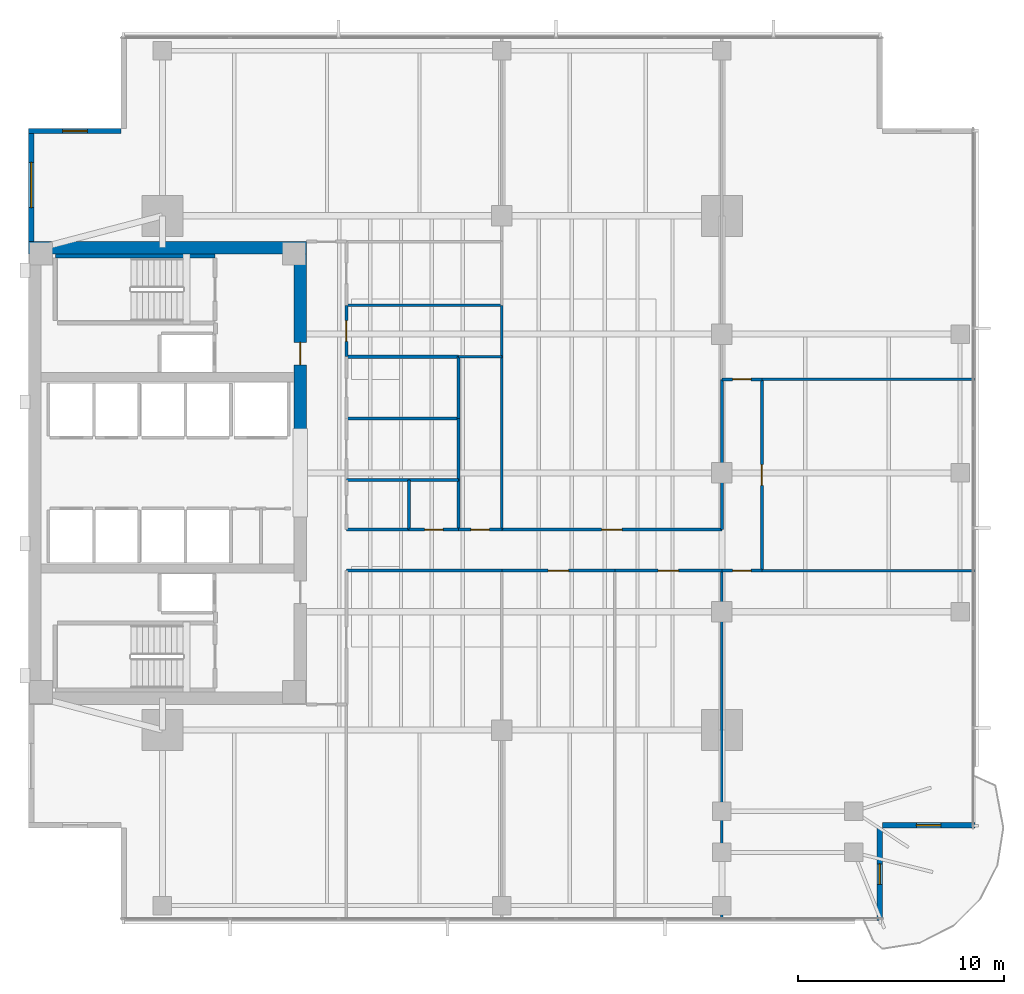
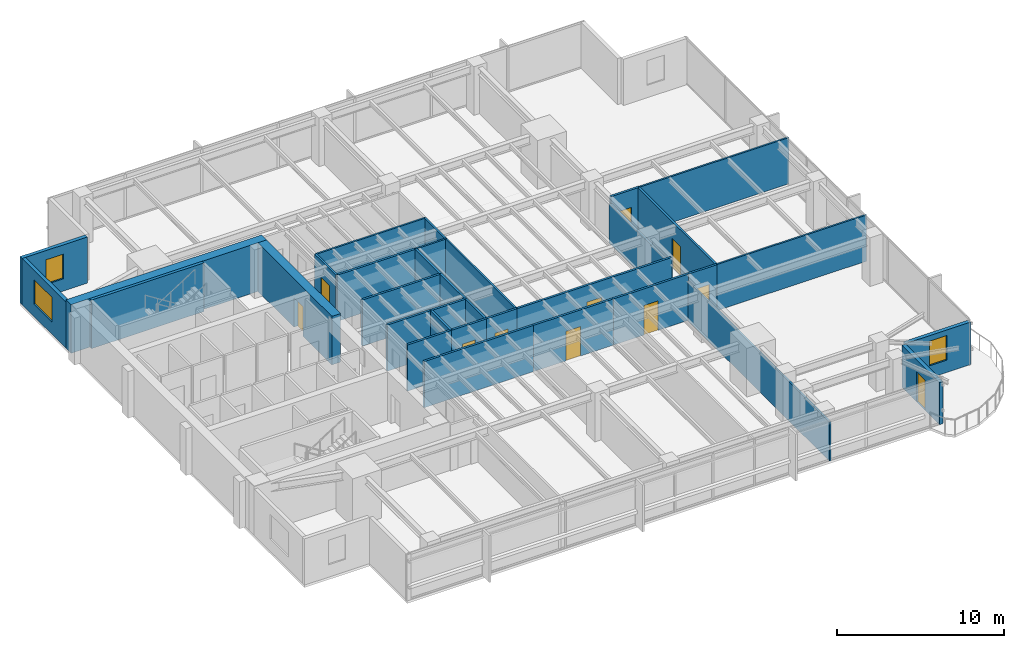
# One storey, part 9 of 15: 34 walls, 11 doors, 3 windows, 14 openings.
"""IFC4 building model written with IfcOpenShell, lengths in metres."""

from ifc_helpers import new_model, si_unit, direction, frame, frame_2d, origin, place, context, subcontext, project, spatial, rectangle, extrude, material, layer, layer_set, type_object, element, fill, save


model = new_model("IFC4")

# Units and contexts
model_context = context("Model", 3, precision=1e-05, world=origin(), true_north=direction((0.0, 1.0)))
body_context = subcontext(model_context, "Body", "Model", "MODEL_VIEW")
ifc_project = project(units=[si_unit("LENGTHUNIT", "METRE"), si_unit("AREAUNIT", "SQUARE_METRE"), si_unit("VOLUMEUNIT", "CUBIC_METRE"), si_unit("PLANEANGLEUNIT", "RADIAN"), si_unit("MASSUNIT", "GRAM", prefix="KILO")], contexts=[model_context])

# Site, building, storey
site_placement = place(None, origin())
site = spatial("IfcSite", under=ifc_project, at=site_placement, CompositionType="ELEMENT")
building_placement = place(site_placement, origin())
building = spatial("IfcBuilding", under=site, at=building_placement, Name="Kinhvarn Gate Tower", CompositionType="ELEMENT")
storey_placement = place(building_placement, frame((0.0, 0.0, 112.89990234375)))
storey = spatial("IfcBuildingStorey", under=building, at=storey_placement, Name="L29", CompositionType="ELEMENT", Elevation=112.89990234375)

# Wall
ifc_material_1 = material(Name="Concrete C60/75", Category="concrete")
ifc_layer_1 = layer(ifc_material_1, 0.60009765625)
ifc_layer_set_1 = layer_set([ifc_layer_1], Name="Concrete C60/75")
wall_type_1 = type_object("IfcWallType", Name="WL-CORE-600", PredefinedType="SHEAR", material=ifc_layer_set_1)
wall_1_placement = place(storey_placement, frame((4.5, 36.199951171875, 0.0), z_axis=(0.0, 0.0, 1.0), x_axis=(1.0, 0.0, 0.0)))
element("IfcWall", 1, at=wall_1_placement, inside=storey, type_object=wall_type_1, Name="Core North Shear Wall L29 600 mm", PredefinedType="SHEAR", context=body_context, shape_type="SweptSolid", body=[
    extrude(rectangle(XDim=13.5, YDim=0.60009765625, at=frame_2d((6.75, 0.0))), origin(), (0.0, 0.0, 1.0), 3.550048828125),
])

# Wall, opening, door
wall_2_placement = place(storey_placement, frame((17.699951171875, 27.050048828125, 0.0), z_axis=(0.0, 0.0, 1.0), x_axis=(0.0, 1.0, 0.0)))
wall_2 = element("IfcWall", 2, at=wall_2_placement, inside=storey, type_object=wall_type_1, Name="Core East-North Shear Pier L29 600 mm", PredefinedType="SHEAR", context=body_context, shape_type="SweptSolid", body=[
    extrude(rectangle(XDim=8.849853515625, YDim=0.60009765625, at=frame_2d((4.4248046875, 0.0))), origin(), (0.0, 0.0, 1.0), 3.550048828125),
])
opening_1_placement = place(wall_2_placement, frame((3.449951171875, 0.0, 0.0)))
opening_1 = element("IfcOpeningElement", 3, at=opening_1_placement, cuts=wall_2, Name="Opening FD-02", PredefinedType="OPENING", context=body_context, shape_type="SweptSolid", body=[
    extrude(rectangle(XDim=1.10009765625, YDim=2.14990234375, at=frame_2d((0.550048828125, 1.074951171875))), frame((0.0, 0.31005859375, 0.0), z_axis=(0.0, -1.0, 0.0), x_axis=(1.0, 0.0, 0.0)), (0.0, 0.0, 1.0), 0.6201171875),
])
ifc_material_2 = material(Name="Anodised aluminium AW-6063", Category="aluminium")
door_type_1 = type_object("IfcDoorType", Name="DR-FD-1100", OperationType="NOTDEFINED", PredefinedType="DOOR", material=ifc_material_2)
door_1_placement = place(opening_1_placement, origin())
door_1 = element("IfcDoor", 4, at=door_1_placement, inside=storey, type_object=door_type_1, Name="Firefighting Lobby Core Door (L29)", OperationType="SINGLE_SWING_LEFT", OverallHeight=2.14990234375, OverallWidth=1.10009765625, PredefinedType="DOOR", context=body_context, shape_type="SweptSolid", body=[
    extrude(rectangle(XDim=1.10009765625, YDim=2.14990234375, at=frame_2d((0.550048828125, 1.074951171875))), frame((0.0, 0.02490234375, 0.0), z_axis=(0.0, -1.0, 0.0), x_axis=(1.0, 0.0, 0.0)), (0.0, 0.0, 1.0), 0.050048828125),
])
fill(opening_1, door_1)

# Wall, opening, window
ifc_material_3 = material(Name="Fired architectural terracotta", Category="masonry")
ifc_layer_2 = layer(ifc_material_3, 0.25)
ifc_layer_set_2 = layer_set([ifc_layer_2], Name="Fired architectural terracotta")
wall_type_2 = type_object("IfcWallType", Name="WL-EXT-250", PredefinedType="SOLIDWALL", material=ifc_layer_set_2)
wall_3_placement = place(storey_placement, frame((4.625, 42.0, 0.0), z_axis=(0.0, 0.0, 1.0), x_axis=(0.0, -1.0, 0.0)))
wall_3 = element("IfcWall", 5, at=wall_3_placement, inside=storey, type_object=wall_type_2, Name="Exterior Solidwall Wall EW-250 (L29 West-North)", PredefinedType="SOLIDWALL", context=body_context, shape_type="SweptSolid", body=[
    extrude(rectangle(XDim=5.5, YDim=0.25, at=frame_2d((2.75, 0.0))), origin(), (0.0, 0.0, 1.0), 3.3701171875),
])
opening_2_placement = place(wall_3_placement, frame((1.64990234375, 0.0, 0.89990234375)))
opening_2 = element("IfcOpeningElement", 6, at=opening_2_placement, cuts=wall_3, Name="Opening WN-01", PredefinedType="OPENING", context=body_context, shape_type="SweptSolid", body=[
    extrude(rectangle(XDim=2.199951171875, YDim=1.800048828125, at=frame_2d((1.10009765625, 0.89990234375))), frame((0.0, 0.135009765625, 0.0), z_axis=(0.0, -1.0, 0.0), x_axis=(1.0, 0.0, 0.0)), (0.0, 0.0, 1.0), 0.27001953125),
])
ifc_material_4 = material(Name="Clear low-e double glazing", Category="glass")
window_type_1 = type_object("IfcWindowType", Name="WIN-RIB-2200", PartitioningType="SINGLE_PANEL", PredefinedType="WINDOW", material=ifc_material_4)
window_1_placement = place(opening_2_placement, origin())
window_1 = element("IfcWindow", 7, at=window_1_placement, inside=storey, type_object=window_type_1, Name="West Flank Double-Glazed Ribbon Window 2200x1800 mm (L29)", OverallHeight=1.800048828125, OverallWidth=2.199951171875, PartitioningType="SINGLE_PANEL", PredefinedType="WINDOW", context=body_context, shape_type="SweptSolid", body=[
    extrude(rectangle(XDim=2.199951171875, YDim=1.800048828125, at=frame_2d((1.10009765625, 0.89990234375))), frame((0.0, 0.030029296875, 0.0), z_axis=(0.0, -1.0, 0.0), x_axis=(1.0, 0.0, 0.0)), (0.0, 0.0, 1.0), 0.06005859375),
])
fill(opening_2, window_1)

# Wall, opening, door
wall_4_placement = place(storey_placement, frame((45.875, 3.5, 0.0), z_axis=(0.0, 0.0, 1.0), x_axis=(0.0, 1.0, 0.0)))
wall_4 = element("IfcWall", 8, at=wall_4_placement, inside=storey, type_object=wall_type_2, Name="Exterior Solidwall Wall EW-250 (L29 SE-Notch-Door)", PredefinedType="SOLIDWALL", context=body_context, shape_type="SweptSolid", body=[
    extrude(rectangle(XDim=4.5, YDim=0.25, at=frame_2d((2.25, 0.0))), origin(), (0.0, 0.0, 1.0), 3.070068359375),
])
opening_3_placement = place(wall_4_placement, frame((1.75, 0.0, 0.0)))
opening_3 = element("IfcOpeningElement", 9, at=opening_3_placement, cuts=wall_4, Name="Opening BD-01", PredefinedType="OPENING", context=body_context, shape_type="SweptSolid", body=[
    extrude(rectangle(XDim=1.0, YDim=2.199951171875, at=frame_2d((0.5, 1.10009765625))), frame((0.0, 0.135009765625, 0.0), z_axis=(0.0, -1.0, 0.0), x_axis=(1.0, 0.0, 0.0)), (0.0, 0.0, 1.0), 0.27001953125),
])
door_type_2 = type_object("IfcDoorType", Name="DR-BAL-1000", OperationType="NOTDEFINED", PredefinedType="DOOR", material=ifc_material_4)
door_2_placement = place(opening_3_placement, frame((1.0, 0.0, 0.0), z_axis=(0.0, 0.0, 1.0), x_axis=(-1.0, 0.0, 0.0)))
door_2 = element("IfcDoor", 10, at=door_2_placement, inside=storey, type_object=door_type_2, Name="S-Carve Balcony Door BD-01 (L29)", OperationType="SINGLE_SWING_LEFT", OverallHeight=2.199951171875, OverallWidth=1.0, PredefinedType="DOOR", context=body_context, shape_type="SweptSolid", body=[
    extrude(rectangle(XDim=1.0, YDim=2.199951171875, at=frame_2d((0.5, 1.10009765625))), frame((0.0, 0.02490234375, 0.0), z_axis=(0.0, -1.0, 0.0), x_axis=(1.0, 0.0, 0.0)), (0.0, 0.0, 1.0), 0.050048828125),
])
fill(opening_3, door_2)

# Wall, opening, window
wall_5_placement = place(storey_placement, frame((46.0, 8.125, 0.0), z_axis=(0.0, 0.0, 1.0), x_axis=(1.0, 0.0, 0.0)))
wall_5 = element("IfcWall", 11, at=wall_5_placement, inside=storey, type_object=wall_type_2, Name="Exterior Solidwall Wall EW-250 (L29 SE-Notch-Win)", PredefinedType="SOLIDWALL", context=body_context, shape_type="SweptSolid", body=[
    extrude(rectangle(XDim=4.5, YDim=0.25, at=frame_2d((2.25, 0.0))), origin(), (0.0, 0.0, 1.0), 3.10009765625),
])
opening_4_placement = place(wall_5_placement, frame((1.64990234375, 0.0, 0.89990234375)))
opening_4 = element("IfcOpeningElement", 12, at=opening_4_placement, cuts=wall_5, Name="Opening WN-02", PredefinedType="OPENING", context=body_context, shape_type="SweptSolid", body=[
    extrude(rectangle(XDim=1.199951171875, YDim=1.800048828125, at=frame_2d((0.60009765625, 0.89990234375))), frame((0.0, 0.135009765625, 0.0), z_axis=(0.0, -1.0, 0.0), x_axis=(1.0, 0.0, 0.0)), (0.0, 0.0, 1.0), 0.27001953125),
])
window_type_2 = type_object("IfcWindowType", Name="WIN-NTC-1200", PartitioningType="SINGLE_PANEL", PredefinedType="WINDOW", material=ifc_material_4)
window_2_placement = place(opening_4_placement, origin())
window_2 = element("IfcWindow", 13, at=window_2_placement, inside=storey, type_object=window_type_2, Name="Recessed Corner Notch Punched Window 1200x1800 mm (L29)", OverallHeight=1.800048828125, OverallWidth=1.199951171875, PartitioningType="SINGLE_PANEL", PredefinedType="WINDOW", context=body_context, shape_type="SweptSolid", body=[
    extrude(rectangle(XDim=1.199951171875, YDim=1.800048828125, at=frame_2d((0.60009765625, 0.89990234375))), frame((0.0, 0.030029296875, 0.0), z_axis=(0.0, -1.0, 0.0), x_axis=(1.0, 0.0, 0.0)), (0.0, 0.0, 1.0), 0.06005859375),
])
fill(opening_4, window_2)

wall_6_placement = place(storey_placement, frame((9.0, 41.875, 0.0), z_axis=(0.0, 0.0, 1.0), x_axis=(-1.0, 0.0, 0.0)))
wall_6 = element("IfcWall", 14, at=wall_6_placement, inside=storey, type_object=wall_type_2, Name="Exterior Solidwall Wall EW-250 (L29 NW-Notch-2)", PredefinedType="SOLIDWALL", context=body_context, shape_type="SweptSolid", body=[
    extrude(rectangle(XDim=4.5, YDim=0.25, at=frame_2d((2.25, 0.0))), origin(), (0.0, 0.0, 1.0), 3.3701171875),
])
opening_5_placement = place(wall_6_placement, frame((1.64990234375, 0.0, 0.89990234375)))
opening_5 = element("IfcOpeningElement", 15, at=opening_5_placement, cuts=wall_6, Name="Opening WN-02", PredefinedType="OPENING", context=body_context, shape_type="SweptSolid", body=[
    extrude(rectangle(XDim=1.199951171875, YDim=1.800048828125, at=frame_2d((0.60009765625, 0.89990234375))), frame((0.0, 0.135009765625, 0.0), z_axis=(0.0, -1.0, 0.0), x_axis=(1.0, 0.0, 0.0)), (0.0, 0.0, 1.0), 0.27001953125),
])
window_3_placement = place(opening_5_placement, origin())
window_3 = element("IfcWindow", 16, at=window_3_placement, inside=storey, type_object=window_type_2, Name="Recessed Corner Notch Punched Window 1200x1800 mm (L29)", OverallHeight=1.800048828125, OverallWidth=1.199951171875, PartitioningType="SINGLE_PANEL", PredefinedType="WINDOW", context=body_context, shape_type="SweptSolid", body=[
    extrude(rectangle(XDim=1.199951171875, YDim=1.800048828125, at=frame_2d((0.60009765625, 0.89990234375))), frame((0.0, 0.030029296875, 0.0), z_axis=(0.0, -1.0, 0.0), x_axis=(1.0, 0.0, 0.0)), (0.0, 0.0, 1.0), 0.06005859375),
])
fill(opening_5, window_3)

# Walls
ifc_material_5 = material(Name="Gypsum acoustic partition board")
ifc_layer_3 = layer(ifc_material_5, 0.14990234375)
ifc_layer_set_3 = layer_set([ifc_layer_3], Name="Gypsum acoustic partition board")
wall_type_3 = type_object("IfcWallType", Name="WL-PLM-150", PredefinedType="PLUMBINGWALL", material=ifc_layer_set_3)
wall_7_placement = place(storey_placement, frame((23.0, 22.5, 0.0), z_axis=(0.0, 0.0, 1.0), x_axis=(0.0, 1.0, 0.0)))
element("IfcWall", 17, at=wall_7_placement, inside=storey, type_object=wall_type_3, Name="Interior Partition PLW-150 (L29)", PredefinedType="PLUMBINGWALL", context=body_context, shape_type="SweptSolid", body=[
    extrude(rectangle(XDim=2.39990234375, YDim=0.14990234375, at=frame_2d((1.199951171875, 0.0))), origin(), (0.0, 0.0, 1.0), 3.3701171875),
])
wall_8_placement = place(storey_placement, frame((19.949951171875, 24.89990234375, 0.0), z_axis=(0.0, 0.0, 1.0), x_axis=(1.0, 0.0, 0.0)))
element("IfcWall", 18, at=wall_8_placement, inside=storey, type_object=wall_type_3, Name="Interior Partition PLW-150 (L29)", PredefinedType="PLUMBINGWALL", context=body_context, shape_type="SweptSolid", body=[
    extrude(rectangle(XDim=3.050048828125, YDim=0.14990234375, at=frame_2d((1.52490234375, 0.0))), origin(), (0.0, 0.0, 1.0), 3.3701171875),
])
for number, where, z_axis, x_axis, name in (
    (19, (23.0, 24.89990234375, 0.0), (0.0, 0.0, 1.0), (1.0, 0.0, 0.0), "Interior Partition PLW-150 (L29)"),
    (20, (25.39990234375, 22.5, 0.0), (0.0, 0.0, 1.0), (0.0, 1.0, 0.0), "Interior Partition PLW-150 (L29)"),
):
    element("IfcWall", number, at=place(storey_placement, frame(where, z_axis=z_axis, x_axis=x_axis)), inside=storey, type_object=wall_type_3, Name=name, PredefinedType="PLUMBINGWALL", context=body_context, shape_type="SweptSolid", body=[
        extrude(rectangle(XDim=2.39990234375, YDim=0.14990234375, at=frame_2d((1.199951171875, 0.0))), origin(), (0.0, 0.0, 1.0), 3.3701171875),
    ])
wall_9_placement = place(storey_placement, frame((19.949951171875, 27.89990234375, 0.0), z_axis=(0.0, 0.0, 1.0), x_axis=(1.0, 0.0, 0.0)))
element("IfcWall", 21, at=wall_9_placement, inside=storey, type_object=wall_type_3, Name="Interior Partition PLW-150 (L29)", PredefinedType="PLUMBINGWALL", context=body_context, shape_type="SweptSolid", body=[
    extrude(rectangle(XDim=5.449951171875, YDim=0.14990234375, at=frame_2d((2.72509765625, 0.0))), origin(), (0.0, 0.0, 1.0), 3.3701171875),
])
for number, where, z_axis, x_axis, name in (
    (22, (25.39990234375, 24.89990234375, 0.0), (0.0, 0.0, 1.0), (0.0, 1.0, 0.0), "Interior Partition PLW-150 (L29)"),
    (23, (25.39990234375, 27.89990234375, 0.0), (0.0, 0.0, 1.0), (0.0, 1.0, 0.0), "Interior Partition PLW-150 (L29)"),
):
    element("IfcWall", number, at=place(storey_placement, frame(where, z_axis=z_axis, x_axis=x_axis)), inside=storey, type_object=wall_type_3, Name=name, PredefinedType="PLUMBINGWALL", context=body_context, shape_type="SweptSolid", body=[
        extrude(rectangle(XDim=3.0, YDim=0.14990234375, at=frame_2d((1.5, 0.0))), origin(), (0.0, 0.0, 1.0), 3.3701171875),
    ])
wall_10_placement = place(storey_placement, frame((19.949951171875, 30.89990234375, 0.0), z_axis=(0.0, 0.0, 1.0), x_axis=(1.0, 0.0, 0.0)))
element("IfcWall", 24, at=wall_10_placement, inside=storey, type_object=wall_type_3, Name="Interior Partition PLW-150 (L29)", PredefinedType="PLUMBINGWALL", context=body_context, shape_type="SweptSolid", body=[
    extrude(rectangle(XDim=5.449951171875, YDim=0.14990234375, at=frame_2d((2.72509765625, 0.0))), origin(), (0.0, 0.0, 1.0), 3.3701171875),
])
ifc_layer_4 = layer(ifc_material_5, 0.14990234375)
ifc_layer_set_4 = layer_set([ifc_layer_4], Name="Gypsum acoustic partition board")
wall_type_4 = type_object("IfcWallType", Name="WL-PLM-150F", PredefinedType="PLUMBINGWALL", material=ifc_layer_set_4)
wall_11_placement = place(storey_placement, frame((19.949951171875, 22.5, 0.0), z_axis=(0.0, 0.0, 1.0), x_axis=(1.0, 0.0, 0.0)))
element("IfcWall", 25, at=wall_11_placement, inside=storey, type_object=wall_type_4, Name="Interior Partition PLW-150F (L29)", PredefinedType="PLUMBINGWALL", context=body_context, shape_type="SweptSolid", body=[
    extrude(rectangle(XDim=3.050048828125, YDim=0.14990234375, at=frame_2d((1.52490234375, 0.0))), origin(), (0.0, 0.0, 1.0), 3.3701171875),
])

# Wall, opening, door
wall_12_placement = place(storey_placement, frame((23.0, 22.5, 0.0), z_axis=(0.0, 0.0, 1.0), x_axis=(1.0, 0.0, 0.0)))
wall_12 = element("IfcWall", 26, at=wall_12_placement, inside=storey, type_object=wall_type_4, Name="Interior Partition PLW-150F (L29)", PredefinedType="PLUMBINGWALL", context=body_context, shape_type="SweptSolid", body=[
    extrude(rectangle(XDim=2.39990234375, YDim=0.14990234375, at=frame_2d((1.199951171875, 0.0))), origin(), (0.0, 0.0, 1.0), 3.3701171875),
])
opening_6_placement = place(wall_12_placement, frame((0.75, 0.0, 0.0)))
opening_6 = element("IfcOpeningElement", 27, at=opening_6_placement, cuts=wall_12, Name="Opening FD-04", PredefinedType="OPENING", context=body_context, shape_type="SweptSolid", body=[
    extrude(rectangle(XDim=0.89990234375, YDim=2.10009765625, at=frame_2d((0.449951171875, 1.050048828125))), frame((0.0, 0.0849609375, 0.0), z_axis=(0.0, -1.0, 0.0), x_axis=(1.0, 0.0, 0.0)), (0.0, 0.0, 1.0), 0.169921875),
])
door_type_3 = type_object("IfcDoorType", Name="DR-FD-900", OperationType="NOTDEFINED", PredefinedType="DOOR", material=ifc_material_2)
door_3_placement = place(opening_6_placement, origin())
door_3 = element("IfcDoor", 28, at=door_3_placement, inside=storey, type_object=door_type_3, Name="Rated Riser & Service Closet Fire Door 900x2100 mm (L29)", OperationType="SINGLE_SWING_RIGHT", OverallHeight=2.10009765625, OverallWidth=0.89990234375, PredefinedType="DOOR", context=body_context, shape_type="SweptSolid", body=[
    extrude(rectangle(XDim=0.89990234375, YDim=2.10009765625, at=frame_2d((0.449951171875, 1.050048828125))), frame((0.0, 0.02490234375, 0.0), z_axis=(0.0, -1.0, 0.0), x_axis=(1.0, 0.0, 0.0)), (0.0, 0.0, 1.0), 0.050048828125),
])
fill(opening_6, door_3)

# Walls
ifc_layer_5 = layer(ifc_material_5, 0.1201171875)
ifc_layer_set_5 = layer_set([ifc_layer_5], Name="Gypsum acoustic partition board")
wall_type_5 = type_object("IfcWallType", Name="WL-PRT-120", PredefinedType="PARTITIONING", material=ifc_layer_set_5)
wall_13_placement = place(storey_placement, frame((25.39990234375, 30.89990234375, 0.0), z_axis=(0.0, 0.0, 1.0), x_axis=(1.0, 0.0, 0.0)))
element("IfcWall", 29, at=wall_13_placement, inside=storey, type_object=wall_type_5, Name="Interior Partition PW-120 (L29)", PredefinedType="PARTITIONING", context=body_context, shape_type="SweptSolid", body=[
    extrude(rectangle(XDim=2.10009765625, YDim=0.1201171875, at=frame_2d((1.050048828125, 0.0))), origin(), (0.0, 0.0, 1.0), 3.3701171875),
])
wall_14_placement = place(storey_placement, frame((27.5, 22.5, 0.0), z_axis=(0.0, 0.0, 1.0), x_axis=(0.0, 1.0, 0.0)))
element("IfcWall", 30, at=wall_14_placement, inside=storey, type_object=wall_type_5, Name="Interior Partition PW-120 (L29)", PredefinedType="PARTITIONING", context=body_context, shape_type="SweptSolid", body=[
    extrude(rectangle(XDim=8.39990234375, YDim=0.1201171875, at=frame_2d((4.199951171875, 0.0))), origin(), (0.0, 0.0, 1.0), 3.3701171875),
])
wall_15_placement = place(storey_placement, frame((19.949951171875, 33.39990234375, 0.0), z_axis=(0.0, 0.0, 1.0), x_axis=(1.0, 0.0, 0.0)))
element("IfcWall", 31, at=wall_15_placement, inside=storey, type_object=wall_type_5, Name="Interior Partition PW-120 (L29)", PredefinedType="PARTITIONING", context=body_context, shape_type="SweptSolid", body=[
    extrude(rectangle(XDim=7.550048828125, YDim=0.1201171875, at=frame_2d((3.77490234375, 0.0))), origin(), (0.0, 0.0, 1.0), 3.3701171875),
])
wall_16_placement = place(storey_placement, frame((27.5, 30.89990234375, 0.0), z_axis=(0.0, 0.0, 1.0), x_axis=(0.0, 1.0, 0.0)))
element("IfcWall", 32, at=wall_16_placement, inside=storey, type_object=wall_type_5, Name="Interior Partition PW-120 (L29)", PredefinedType="PARTITIONING", context=body_context, shape_type="SweptSolid", body=[
    extrude(rectangle(XDim=2.5, YDim=0.1201171875, at=frame_2d((1.25, 0.0))), origin(), (0.0, 0.0, 1.0), 3.3701171875),
])
wall_17_placement = place(storey_placement, frame((38.199951171875, 3.510009765625, 0.0), z_axis=(0.0, 0.0, 1.0), x_axis=(0.0, 1.0, 0.0)))
element("IfcWall", 33, at=wall_17_placement, inside=storey, type_object=wall_type_5, Name="Interior Partition PW-120 (L29)", PredefinedType="PARTITIONING", context=body_context, shape_type="SweptSolid", body=[
    extrude(rectangle(XDim=16.989990234375, YDim=0.1201171875, at=frame_2d((8.4951171875, 0.0))), origin(), (0.0, 0.0, 1.0), 2.8701171875),
])
for number, where, z_axis, x_axis, name in (
    (34, (40.14990234375, 20.5, 0.0), (0.0, 0.0, 1.0), (1.0, 0.0, 0.0), "Interior Partition PW-120 (L29)"),
    (35, (40.14990234375, 29.800048828125, 0.0), (0.0, 0.0, 1.0), (1.0, 0.0, 0.0), "Interior Partition PW-120 (L29)"),
):
    element("IfcWall", number, at=place(storey_placement, frame(where, z_axis=z_axis, x_axis=x_axis)), inside=storey, type_object=wall_type_5, Name=name, PredefinedType="PARTITIONING", context=body_context, shape_type="SweptSolid", body=[
        extrude(rectangle(XDim=10.340087890625, YDim=0.1201171875, at=frame_2d((5.169921875, 0.0))), origin(), (0.0, 0.0, 1.0), 3.3701171875),
    ])

# Wall, opening, door
ifc_layer_6 = layer(ifc_material_5, 0.14990234375)
ifc_layer_set_6 = layer_set([ifc_layer_6], Name="Gypsum acoustic partition board")
wall_type_6 = type_object("IfcWallType", Name="WL-PRT-150F", PredefinedType="PARTITIONING", material=ifc_layer_set_6)
wall_18_placement = place(storey_placement, frame((19.949951171875, 30.89990234375, 0.0), z_axis=(0.0, 0.0, 1.0), x_axis=(0.0, 1.0, 0.0)))
wall_18 = element("IfcWall", 36, at=wall_18_placement, inside=storey, type_object=wall_type_6, Name="Interior Partition PW-150F (L29)", PredefinedType="PARTITIONING", context=body_context, shape_type="SweptSolid", body=[
    extrude(rectangle(XDim=2.5, YDim=0.14990234375, at=frame_2d((1.25, 0.0))), origin(), (0.0, 0.0, 1.0), 3.3701171875),
])
opening_7_placement = place(wall_18_placement, frame((0.75, 0.0, 0.0)))
opening_7 = element("IfcOpeningElement", 37, at=opening_7_placement, cuts=wall_18, Name="Opening ID-02", PredefinedType="OPENING", context=body_context, shape_type="SweptSolid", body=[
    extrude(rectangle(XDim=1.0, YDim=2.14990234375, at=frame_2d((0.5, 1.074951171875))), frame((0.0, 0.0849609375, 0.0), z_axis=(0.0, -1.0, 0.0), x_axis=(1.0, 0.0, 0.0)), (0.0, 0.0, 1.0), 0.169921875),
])
door_type_4 = type_object("IfcDoorType", Name="DR-INT-1000", OperationType="NOTDEFINED", PredefinedType="DOOR", material=ifc_material_2)
door_4_placement = place(opening_7_placement, origin())
door_4 = element("IfcDoor", 38, at=door_4_placement, inside=storey, type_object=door_type_4, Name="Standard Office & Meeting Room Door 1000x2150 mm (L29)", OperationType="SINGLE_SWING_LEFT", OverallHeight=2.14990234375, OverallWidth=1.0, PredefinedType="DOOR", context=body_context, shape_type="SweptSolid", body=[
    extrude(rectangle(XDim=1.0, YDim=2.14990234375, at=frame_2d((0.5, 1.074951171875))), frame((0.0, 0.02490234375, 0.0), z_axis=(0.0, -1.0, 0.0), x_axis=(1.0, 0.0, 0.0)), (0.0, 0.0, 1.0), 0.050048828125),
])
fill(opening_7, door_4)

wall_19_placement = place(storey_placement, frame((25.39990234375, 22.5, 0.0), z_axis=(0.0, 0.0, 1.0), x_axis=(1.0, 0.0, 0.0)))
wall_19 = element("IfcWall", 39, at=wall_19_placement, inside=storey, type_object=wall_type_6, Name="Interior Partition PW-150F (L29)", PredefinedType="PARTITIONING", context=body_context, shape_type="SweptSolid", body=[
    extrude(rectangle(XDim=2.10009765625, YDim=0.14990234375, at=frame_2d((1.050048828125, 0.0))), origin(), (0.0, 0.0, 1.0), 3.3701171875),
])
opening_8_placement = place(wall_19_placement, frame((0.60009765625, 0.0, 0.0)))
opening_8 = element("IfcOpeningElement", 40, at=opening_8_placement, cuts=wall_19, Name="Opening ID-03", PredefinedType="OPENING", context=body_context, shape_type="SweptSolid", body=[
    extrude(rectangle(XDim=0.89990234375, YDim=2.10009765625, at=frame_2d((0.449951171875, 1.050048828125))), frame((0.0, 0.0849609375, 0.0), z_axis=(0.0, -1.0, 0.0), x_axis=(1.0, 0.0, 0.0)), (0.0, 0.0, 1.0), 0.169921875),
])
door_type_5 = type_object("IfcDoorType", Name="DR-INT-900", OperationType="NOTDEFINED", PredefinedType="DOOR", material=ifc_material_2)
door_5_placement = place(opening_8_placement, origin())
door_5 = element("IfcDoor", 41, at=door_5_placement, inside=storey, type_object=door_type_5, Name="Cellular Office & Restroom Door 900x2100 mm (L29)", OperationType="SINGLE_SWING_LEFT", OverallHeight=2.10009765625, OverallWidth=0.89990234375, PredefinedType="DOOR", context=body_context, shape_type="SweptSolid", body=[
    extrude(rectangle(XDim=0.89990234375, YDim=2.10009765625, at=frame_2d((0.449951171875, 1.050048828125))), frame((0.0, 0.02490234375, 0.0), z_axis=(0.0, -1.0, 0.0), x_axis=(1.0, 0.0, 0.0)), (0.0, 0.0, 1.0), 0.050048828125),
])
fill(opening_8, door_5)

# Wall
wall_20_placement = place(storey_placement, frame((19.949951171875, 20.5, 0.0), z_axis=(0.0, 0.0, 1.0), x_axis=(1.0, 0.0, 0.0)))
element("IfcWall", 42, at=wall_20_placement, inside=storey, type_object=wall_type_6, Name="Interior Partition PW-150F (L29)", PredefinedType="PARTITIONING", context=body_context, shape_type="SweptSolid", body=[
    extrude(rectangle(XDim=7.550048828125, YDim=0.14990234375, at=frame_2d((3.77490234375, 0.0))), origin(), (0.0, 0.0, 1.0), 3.3701171875),
])

# Wall, opening, door
wall_21_placement = place(storey_placement, frame((27.5, 20.5, 0.0), z_axis=(0.0, 0.0, 1.0), x_axis=(1.0, 0.0, 0.0)))
wall_21 = element("IfcWall", 43, at=wall_21_placement, inside=storey, type_object=wall_type_6, Name="Interior Partition PW-150F (L29)", PredefinedType="PARTITIONING", context=body_context, shape_type="SweptSolid", body=[
    extrude(rectangle(XDim=5.5, YDim=0.14990234375, at=frame_2d((2.75, 0.0))), origin(), (0.0, 0.0, 1.0), 3.3701171875),
])
opening_9_placement = place(wall_21_placement, frame((2.25, 0.0, 0.0)))
opening_9 = element("IfcOpeningElement", 44, at=opening_9_placement, cuts=wall_21, Name="Opening ID-02", PredefinedType="OPENING", context=body_context, shape_type="SweptSolid", body=[
    extrude(rectangle(XDim=1.0, YDim=2.14990234375, at=frame_2d((0.5, 1.074951171875))), frame((0.0, 0.0849609375, 0.0), z_axis=(0.0, -1.0, 0.0), x_axis=(1.0, 0.0, 0.0)), (0.0, 0.0, 1.0), 0.169921875),
])
door_6_placement = place(opening_9_placement, origin())
door_6 = element("IfcDoor", 45, at=door_6_placement, inside=storey, type_object=door_type_4, Name="Standard Office & Meeting Room Door 1000x2150 mm (L29)", OperationType="SINGLE_SWING_RIGHT", OverallHeight=2.14990234375, OverallWidth=1.0, PredefinedType="DOOR", context=body_context, shape_type="SweptSolid", body=[
    extrude(rectangle(XDim=1.0, YDim=2.14990234375, at=frame_2d((0.5, 1.074951171875))), frame((0.0, 0.02490234375, 0.0), z_axis=(0.0, -1.0, 0.0), x_axis=(1.0, 0.0, 0.0)), (0.0, 0.0, 1.0), 0.050048828125),
])
fill(opening_9, door_6)

wall_22_placement = place(storey_placement, frame((33.0, 20.5, 0.0), z_axis=(0.0, 0.0, 1.0), x_axis=(1.0, 0.0, 0.0)))
wall_22 = element("IfcWall", 46, at=wall_22_placement, inside=storey, type_object=wall_type_6, Name="Interior Partition PW-150F (L29)", PredefinedType="PARTITIONING", context=body_context, shape_type="SweptSolid", body=[
    extrude(rectangle(XDim=5.199951171875, YDim=0.14990234375, at=frame_2d((2.60009765625, 0.0))), origin(), (0.0, 0.0, 1.0), 3.3701171875),
])
opening_10_placement = place(wall_22_placement, frame((2.10009765625, 0.0, 0.0)))
opening_10 = element("IfcOpeningElement", 47, at=opening_10_placement, cuts=wall_22, Name="Opening ID-02", PredefinedType="OPENING", context=body_context, shape_type="SweptSolid", body=[
    extrude(rectangle(XDim=1.0, YDim=2.14990234375, at=frame_2d((0.5, 1.074951171875))), frame((0.0, 0.0849609375, 0.0), z_axis=(0.0, -1.0, 0.0), x_axis=(1.0, 0.0, 0.0)), (0.0, 0.0, 1.0), 0.169921875),
])
door_7_placement = place(opening_10_placement, origin())
door_7 = element("IfcDoor", 48, at=door_7_placement, inside=storey, type_object=door_type_4, Name="Standard Office & Meeting Room Door 1000x2150 mm (L29)", OperationType="SINGLE_SWING_LEFT", OverallHeight=2.14990234375, OverallWidth=1.0, PredefinedType="DOOR", context=body_context, shape_type="SweptSolid", body=[
    extrude(rectangle(XDim=1.0, YDim=2.14990234375, at=frame_2d((0.5, 1.074951171875))), frame((0.0, 0.02490234375, 0.0), z_axis=(0.0, -1.0, 0.0), x_axis=(1.0, 0.0, 0.0)), (0.0, 0.0, 1.0), 0.050048828125),
])
fill(opening_10, door_7)

wall_23_placement = place(storey_placement, frame((27.5, 22.5, 0.0), z_axis=(0.0, 0.0, 1.0), x_axis=(1.0, 0.0, 0.0)))
wall_23 = element("IfcWall", 49, at=wall_23_placement, inside=storey, type_object=wall_type_6, Name="Interior Partition PW-150F (L29)", PredefinedType="PARTITIONING", context=body_context, shape_type="SweptSolid", body=[
    extrude(rectangle(XDim=10.699951171875, YDim=0.14990234375, at=frame_2d((5.35009765625, 0.0))), origin(), (0.0, 0.0, 1.0), 3.3701171875),
])
opening_11_placement = place(wall_23_placement, frame((4.85009765625, 0.0, 0.0)))
opening_11 = element("IfcOpeningElement", 50, at=opening_11_placement, cuts=wall_23, Name="Opening ID-02", PredefinedType="OPENING", context=body_context, shape_type="SweptSolid", body=[
    extrude(rectangle(XDim=1.0, YDim=2.14990234375, at=frame_2d((0.5, 1.074951171875))), frame((0.0, 0.0849609375, 0.0), z_axis=(0.0, -1.0, 0.0), x_axis=(1.0, 0.0, 0.0)), (0.0, 0.0, 1.0), 0.169921875),
])
door_8_placement = place(opening_11_placement, origin())
door_8 = element("IfcDoor", 51, at=door_8_placement, inside=storey, type_object=door_type_4, Name="Standard Office & Meeting Room Door 1000x2150 mm (L29)", OperationType="SINGLE_SWING_RIGHT", OverallHeight=2.14990234375, OverallWidth=1.0, PredefinedType="DOOR", context=body_context, shape_type="SweptSolid", body=[
    extrude(rectangle(XDim=1.0, YDim=2.14990234375, at=frame_2d((0.5, 1.074951171875))), frame((0.0, 0.02490234375, 0.0), z_axis=(0.0, -1.0, 0.0), x_axis=(1.0, 0.0, 0.0)), (0.0, 0.0, 1.0), 0.050048828125),
])
fill(opening_11, door_8)

# Wall
wall_24_placement = place(storey_placement, frame((38.199951171875, 22.5, 0.0), z_axis=(0.0, 0.0, 1.0), x_axis=(0.0, 1.0, 0.0)))
element("IfcWall", 52, at=wall_24_placement, inside=storey, type_object=wall_type_6, Name="Interior Partition PW-150F (L29)", PredefinedType="PARTITIONING", context=body_context, shape_type="SweptSolid", body=[
    extrude(rectangle(XDim=7.300048828125, YDim=0.14990234375, at=frame_2d((3.64990234375, 0.0))), origin(), (0.0, 0.0, 1.0), 2.8701171875),
])

# Wall, opening, door
wall_25_placement = place(storey_placement, frame((38.199951171875, 20.5, 0.0), z_axis=(0.0, 0.0, 1.0), x_axis=(1.0, 0.0, 0.0)))
wall_25 = element("IfcWall", 53, at=wall_25_placement, inside=storey, type_object=wall_type_6, Name="Interior Partition PW-150F (L29)", PredefinedType="PARTITIONING", context=body_context, shape_type="SweptSolid", body=[
    extrude(rectangle(XDim=1.949951171875, YDim=0.14990234375, at=frame_2d((0.97509765625, 0.0))), origin(), (0.0, 0.0, 1.0), 3.3701171875),
])
opening_12_placement = place(wall_25_placement, frame((0.52490234375, 0.0, 0.0)))
opening_12 = element("IfcOpeningElement", 54, at=opening_12_placement, cuts=wall_25, Name="Opening ID-03", PredefinedType="OPENING", context=body_context, shape_type="SweptSolid", body=[
    extrude(rectangle(XDim=0.89990234375, YDim=2.10009765625, at=frame_2d((0.449951171875, 1.050048828125))), frame((0.0, 0.0849609375, 0.0), z_axis=(0.0, -1.0, 0.0), x_axis=(1.0, 0.0, 0.0)), (0.0, 0.0, 1.0), 0.169921875),
])
door_9_placement = place(opening_12_placement, origin())
door_9 = element("IfcDoor", 55, at=door_9_placement, inside=storey, type_object=door_type_5, Name="Cellular Office & Restroom Door 900x2100 mm (L29)", OperationType="SINGLE_SWING_LEFT", OverallHeight=2.10009765625, OverallWidth=0.89990234375, PredefinedType="DOOR", context=body_context, shape_type="SweptSolid", body=[
    extrude(rectangle(XDim=0.89990234375, YDim=2.10009765625, at=frame_2d((0.449951171875, 1.050048828125))), frame((0.0, 0.02490234375, 0.0), z_axis=(0.0, -1.0, 0.0), x_axis=(1.0, 0.0, 0.0)), (0.0, 0.0, 1.0), 0.050048828125),
])
fill(opening_12, door_9)

wall_26_placement = place(storey_placement, frame((40.14990234375, 20.5, 0.0), z_axis=(0.0, 0.0, 1.0), x_axis=(0.0, 1.0, 0.0)))
wall_26 = element("IfcWall", 56, at=wall_26_placement, inside=storey, type_object=wall_type_6, Name="Interior Partition PW-150F (L29)", PredefinedType="PARTITIONING", context=body_context, shape_type="SweptSolid", body=[
    extrude(rectangle(XDim=9.300048828125, YDim=0.14990234375, at=frame_2d((4.64990234375, 0.0))), origin(), (0.0, 0.0, 1.0), 3.3701171875),
])
opening_13_placement = place(wall_26_placement, frame((4.14990234375, 0.0, 0.0)))
opening_13 = element("IfcOpeningElement", 57, at=opening_13_placement, cuts=wall_26, Name="Opening ID-02", PredefinedType="OPENING", context=body_context, shape_type="SweptSolid", body=[
    extrude(rectangle(XDim=1.0, YDim=2.14990234375, at=frame_2d((0.5, 1.074951171875))), frame((0.0, 0.0849609375, 0.0), z_axis=(0.0, -1.0, 0.0), x_axis=(1.0, 0.0, 0.0)), (0.0, 0.0, 1.0), 0.169921875),
])
door_10_placement = place(opening_13_placement, origin())
door_10 = element("IfcDoor", 58, at=door_10_placement, inside=storey, type_object=door_type_4, Name="Standard Office & Meeting Room Door 1000x2150 mm (L29)", OperationType="SINGLE_SWING_RIGHT", OverallHeight=2.14990234375, OverallWidth=1.0, PredefinedType="DOOR", context=body_context, shape_type="SweptSolid", body=[
    extrude(rectangle(XDim=1.0, YDim=2.14990234375, at=frame_2d((0.5, 1.074951171875))), frame((0.0, 0.02490234375, 0.0), z_axis=(0.0, -1.0, 0.0), x_axis=(1.0, 0.0, 0.0)), (0.0, 0.0, 1.0), 0.050048828125),
])
fill(opening_13, door_10)

wall_27_placement = place(storey_placement, frame((38.199951171875, 29.800048828125, 0.0), z_axis=(0.0, 0.0, 1.0), x_axis=(1.0, 0.0, 0.0)))
wall_27 = element("IfcWall", 59, at=wall_27_placement, inside=storey, type_object=wall_type_6, Name="Interior Partition PW-150F (L29)", PredefinedType="PARTITIONING", context=body_context, shape_type="SweptSolid", body=[
    extrude(rectangle(XDim=1.949951171875, YDim=0.14990234375, at=frame_2d((0.97509765625, 0.0))), origin(), (0.0, 0.0, 1.0), 3.3701171875),
])
opening_14_placement = place(wall_27_placement, frame((0.52490234375, 0.0, 0.0)))
opening_14 = element("IfcOpeningElement", 60, at=opening_14_placement, cuts=wall_27, Name="Opening ID-03", PredefinedType="OPENING", context=body_context, shape_type="SweptSolid", body=[
    extrude(rectangle(XDim=0.89990234375, YDim=2.10009765625, at=frame_2d((0.449951171875, 1.050048828125))), frame((0.0, 0.0849609375, 0.0), z_axis=(0.0, -1.0, 0.0), x_axis=(1.0, 0.0, 0.0)), (0.0, 0.0, 1.0), 0.169921875),
])
door_11_placement = place(opening_14_placement, origin())
door_11 = element("IfcDoor", 61, at=door_11_placement, inside=storey, type_object=door_type_5, Name="Cellular Office & Restroom Door 900x2100 mm (L29)", OperationType="SINGLE_SWING_LEFT", OverallHeight=2.10009765625, OverallWidth=0.89990234375, PredefinedType="DOOR", context=body_context, shape_type="SweptSolid", body=[
    extrude(rectangle(XDim=0.89990234375, YDim=2.10009765625, at=frame_2d((0.449951171875, 1.050048828125))), frame((0.0, 0.02490234375, 0.0), z_axis=(0.0, -1.0, 0.0), x_axis=(1.0, 0.0, 0.0)), (0.0, 0.0, 1.0), 0.050048828125),
])
fill(opening_14, door_11)

# Wall
ifc_material_6 = material(Name="Concrete C40/50", Category="concrete")
ifc_layer_7 = layer(ifc_material_6, 0.199951171875)
ifc_layer_set_7 = layer_set([ifc_layer_7], Name="Concrete C40/50")
wall_type_7 = type_object("IfcWallType", Name="WL-SHF-200", PredefinedType="SOLIDWALL", material=ifc_layer_set_7)
wall_28_placement = place(storey_placement, frame((5.800048828125, 35.800048828125, 0.0), z_axis=(0.0, 0.0, 1.0), x_axis=(1.0, 0.0, 0.0)))
element("IfcWall", 62, at=wall_28_placement, inside=storey, type_object=wall_type_7, Name="Stair ST2 North Shaft Wall (L29)", PredefinedType="SOLIDWALL", context=body_context, shape_type="SweptSolid", body=[
    extrude(rectangle(XDim=7.75, YDim=0.199951171875, at=frame_2d((3.875, 0.0))), origin(), (0.0, 0.0, 1.0), 3.550048828125),
])

save(model, "model.ifc")
